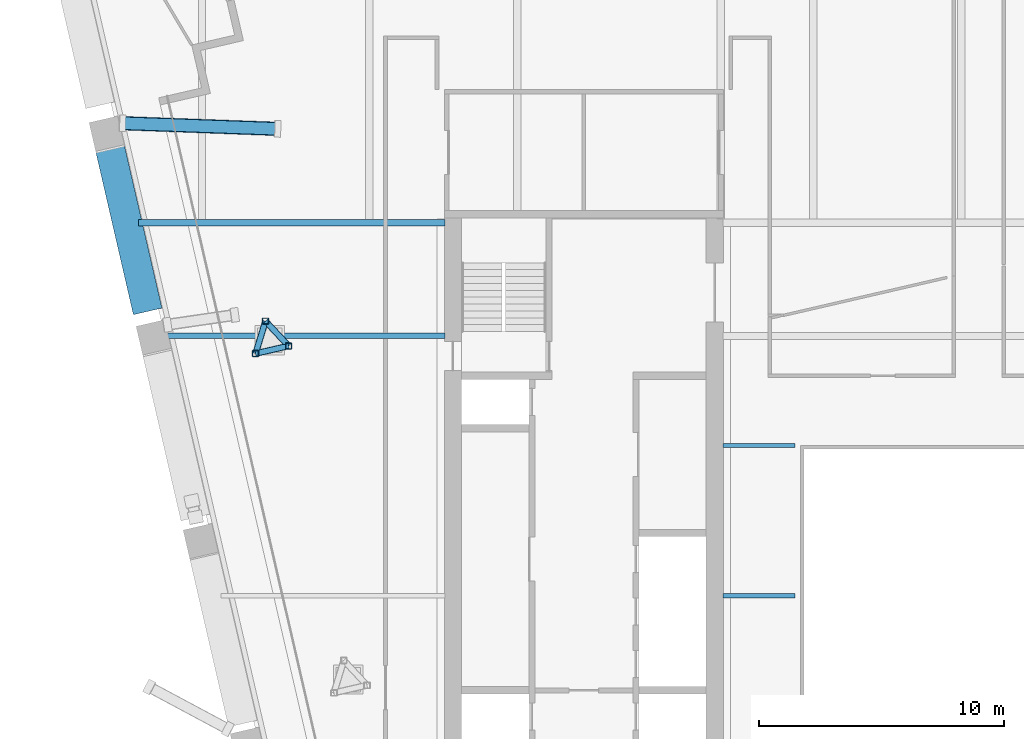
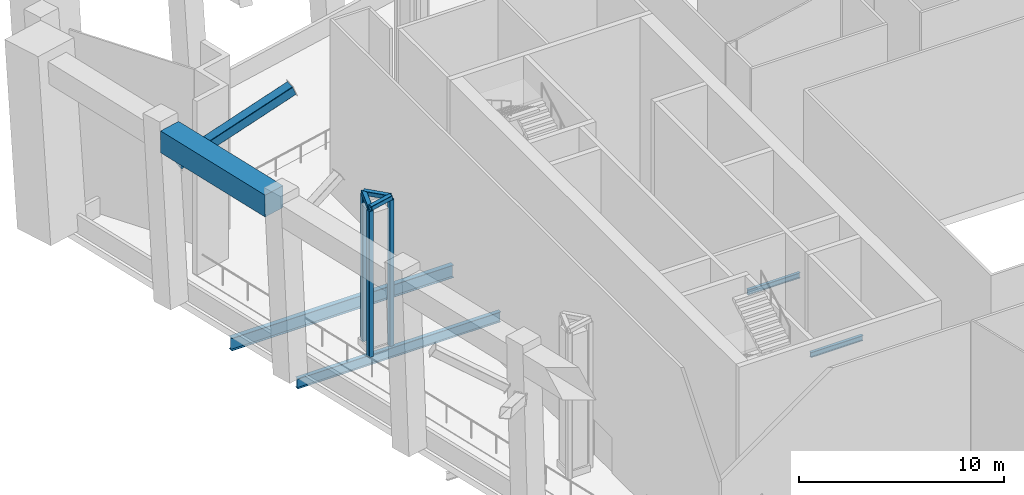
# One storey, part 6 of 25: 7 members, 5 beams.
"""IFC4 building model written with IfcOpenShell, lengths in metres."""

from ifc_helpers import new_model, si_unit, direction, frame, origin, origin_2d, place, context, subcontext, project, spatial, rectangle, hollow_rectangle, i_section, extrude, material, material_profile, profile_set, type_object, element, save


model = new_model("IFC4")

# Units and contexts
model_context = context("Model", 3, precision=1e-05, world=origin(), true_north=direction((0.0, 1.0)))
body_context = subcontext(model_context, "Body", "Model", "MODEL_VIEW")
ifc_project = project(units=[si_unit("LENGTHUNIT", "METRE"), si_unit("AREAUNIT", "SQUARE_METRE"), si_unit("VOLUMEUNIT", "CUBIC_METRE"), si_unit("PLANEANGLEUNIT", "RADIAN"), si_unit("MASSUNIT", "GRAM", prefix="KILO")], contexts=[model_context])

# Site, building, storey
site_placement = place(None, origin())
site = spatial("IfcSite", under=ifc_project, at=site_placement, CompositionType="ELEMENT")
building_placement = place(site_placement, origin())
building = spatial("IfcBuilding", under=site, at=building_placement, Name="Ogive Exchange Tower", CompositionType="ELEMENT")
storey_placement = place(building_placement, frame((0.0, 0.0, 226.199951171875)))
storey = spatial("IfcBuildingStorey", under=building, at=storey_placement, Name="L50", CompositionType="ELEMENT", Elevation=226.199951171875)

# Member
ifc_material_1 = material(Name="Steel ASTM A1085 Gr A", Category="steel")
ifc_material_profile_1 = material_profile(ifc_material_1, hollow_rectangle(XDim=0.55908203125, YDim=0.55908203125, WallThickness=0.022216796875, InnerFilletRadius=0.022216796875, OuterFilletRadius=0.04443359375, at=origin_2d()), Name="HSS558.8x558.8x22.2")
ifc_profile_set_1 = profile_set([ifc_material_profile_1], Name="Steel ASTM A1085 Gr A")
member_type_1 = type_object("IfcMemberType", Name="Block-change strut HSS558.8x558.8x22.2", PredefinedType="STRUT", material=ifc_profile_set_1)
member_placement = place(storey_placement, frame((-34.842529296875, 29.314208984375, 7.697265625), z_axis=(0.935168985841, -0.034178251453, 0.352549025028), x_axis=(0.036523289707, 0.999332802078, 0.0)))
element("IfcMember", 1, at=member_placement, inside=storey, type_object=member_type_1, Name="Block-change strut 26", PredefinedType="STRUT", context=body_context, shape_type="SweptSolid", body=[
    extrude(hollow_rectangle(XDim=0.55908203125, YDim=0.55908203125, WallThickness=0.022216796875, InnerFilletRadius=0.022216796875, OuterFilletRadius=0.04443359375, at=origin_2d()), origin(), (0.0, 0.0, 1.0), 6.75732421875),
])

# Beams
ifc_material_2 = material(Name="Steel ASTM A992 Gr50", Category="steel")
ifc_material_profile_2 = material_profile(ifc_material_2, i_section(OverallWidth=0.1650390625, OverallDepth=0.31005859375, WebThickness=0.005859375, FlangeThickness=0.009765625, at=origin_2d()), Name="W310x38.7")
ifc_profile_set_2 = profile_set([ifc_material_profile_2], Name="Steel ASTM A992 Gr50")
beam_type_1 = type_object("IfcBeamType", Name="Floor beam W310x38.7", PredefinedType="JOIST", material=ifc_profile_set_2)
beam_1_placement = place(storey_placement, frame((-10.320068359375, 10.006591796875, -0.60498046875), z_axis=(1.0, 0.0, 0.0), x_axis=(0.0, 1.0, 0.0)))
element("IfcBeam", 2, at=beam_1_placement, inside=storey, type_object=beam_type_1, Name="Floor beam", PredefinedType="JOIST", context=body_context, shape_type="SweptSolid", body=[
    extrude(i_section(OverallWidth=0.1650390625, OverallDepth=0.31005859375, WebThickness=0.005859375, FlangeThickness=0.009765625, at=origin_2d()), origin(), (0.0, 0.0, 1.0), 2.949951171875),
])
ifc_material_profile_3 = material_profile(ifc_material_2, i_section(OverallWidth=0.22802734375, OverallDepth=0.60205078125, WebThickness=0.010498046875, FlangeThickness=0.014892578125, at=origin_2d()), Name="W610x101")
ifc_profile_set_3 = profile_set([ifc_material_profile_3], Name="Steel ASTM A992 Gr50")
beam_type_2 = type_object("IfcBeamType", Name="Floor beam W610x101", PredefinedType="JOIST", material=ifc_profile_set_3)
beam_2_placement = place(storey_placement, frame((-33.126220703125, 20.62255859375, -0.7509765625), z_axis=(1.0, 0.0, 0.0), x_axis=(0.0, 1.0, 0.0)))
element("IfcBeam", 3, at=beam_2_placement, inside=storey, type_object=beam_type_2, Name="Floor beam", PredefinedType="JOIST", context=body_context, shape_type="SweptSolid", body=[
    extrude(i_section(OverallWidth=0.22802734375, OverallDepth=0.60205078125, WebThickness=0.010498046875, FlangeThickness=0.014892578125, at=origin_2d()), origin(), (0.0, 0.0, 1.0), 11.4462890625),
])
ifc_material_profile_4 = material_profile(ifc_material_2, i_section(OverallWidth=0.1650390625, OverallDepth=0.31005859375, WebThickness=0.005859375, FlangeThickness=0.009765625, at=origin_2d()), Name="W310x38.7")
ifc_profile_set_4 = profile_set([ifc_material_profile_4], Name="Steel ASTM A992 Gr50")
beam_type_3 = type_object("IfcBeamType", Name="Girder W310x38.7", PredefinedType="BEAM", material=ifc_profile_set_4)
beam_3_placement = place(storey_placement, frame((-10.320068359375, 16.155029296875, -0.60498046875), z_axis=(1.0, 0.0, 0.0), x_axis=(0.0, 1.0, 0.0)))
element("IfcBeam", 4, at=beam_3_placement, inside=storey, type_object=beam_type_3, Name="Trimmer girder", PredefinedType="BEAM", context=body_context, shape_type="SweptSolid", body=[
    extrude(i_section(OverallWidth=0.1650390625, OverallDepth=0.31005859375, WebThickness=0.005859375, FlangeThickness=0.009765625, at=origin_2d()), origin(), (0.0, 0.0, 1.0), 2.949951171875),
])
ifc_material_profile_5 = material_profile(ifc_material_2, i_section(OverallWidth=0.26708984375, OverallDepth=0.75390625, WebThickness=0.01318359375, FlangeThickness=0.01708984375, at=origin_2d()), Name="W760x147")
ifc_profile_set_5 = profile_set([ifc_material_profile_5], Name="Steel ASTM A992 Gr50")
beam_type_4 = type_object("IfcBeamType", Name="Girder W760x147", PredefinedType="BEAM", material=ifc_profile_set_5)
beam_4_placement = place(storey_placement, frame((-34.193359375, 25.2451171875, -0.826904296875), z_axis=(1.0, 0.0, 0.0), x_axis=(0.0, 1.0, 0.0)))
element("IfcBeam", 5, at=beam_4_placement, inside=storey, type_object=beam_type_4, Name="Header girder", PredefinedType="BEAM", context=body_context, shape_type="SweptSolid", body=[
    extrude(i_section(OverallWidth=0.26708984375, OverallDepth=0.75390625, WebThickness=0.01318359375, FlangeThickness=0.01708984375, at=origin_2d()), origin(), (0.0, 0.0, 1.0), 12.513427734375),
])
ifc_material_3 = material(Name="Precast concrete C70/85 (limestone faced)", Category="masonry")
ifc_material_profile_6 = material_profile(ifc_material_3, rectangle(XDim=1.199951171875, YDim=1.300048828125, at=origin_2d()), Name="1200 x 1300")
ifc_profile_set_6 = profile_set([ifc_material_profile_6], Name="Precast concrete C70/85 (limestone faced)")
beam_type_5 = type_object("IfcBeamType", Name="Precast portal header beam 1200 x 1300 C70/85", PredefinedType="BEAM", material=ifc_profile_set_6)
beam_5_placement = place(storey_placement, frame((-35.503173828125, 28.91796875, 9.699951171875), z_axis=(0.224957186508, -0.974368649043, 0.0), x_axis=(0.974368649043, 0.224957186508, 0.0)))
element("IfcBeam", 6, at=beam_5_placement, inside=storey, type_object=beam_type_5, Name="Slot header beam 27", PredefinedType="BEAM", context=body_context, shape_type="SweptSolid", body=[
    extrude(rectangle(XDim=1.199951171875, YDim=1.300048828125, at=origin_2d()), origin(), (0.0, 0.0, 1.0), 7.484130859375),
])

# Members
ifc_material_profile_7 = material_profile(ifc_material_1, hollow_rectangle(XDim=0.25390625, YDim=0.25390625, WallThickness=0.0126953125, InnerFilletRadius=0.0126953125, OuterFilletRadius=0.025390625, at=origin_2d()), Name="HSS254x254x12.7")
ifc_profile_set_7 = profile_set([ifc_material_profile_7], Name="Steel ASTM A1085 Gr A")
member_type_2 = type_object("IfcMemberType", Name="Turbine cage mast HSS254x254x12.7", PredefinedType="POST", material=ifc_profile_set_7)
for number, where, z_axis, x_axis, name in (
    (7, (-28.0615234375, 20.2138671875, 0.0), (0.0, 0.0, 1.0), (1.0, 0.0, 0.0), "Turbine cage mast 08.1"),
    (8, (-29.006591796875, 21.227294921875, 0.0), (0.0, 0.0, 1.0), (1.0, 0.0, 0.0), "Turbine cage mast 08.2"),
    (9, (-29.41162109375, 19.902099609375, 0.0), (0.0, 0.0, 1.0), (1.0, 0.0, 0.0), "Turbine cage mast 08.3"),
):
    element("IfcMember", number, at=place(storey_placement, frame(where, z_axis=z_axis, x_axis=x_axis)), inside=storey, type_object=member_type_2, Name=name, PredefinedType="POST", context=body_context, shape_type="SweptSolid", body=[
        extrude(hollow_rectangle(XDim=0.25390625, YDim=0.25390625, WallThickness=0.0126953125, InnerFilletRadius=0.0126953125, OuterFilletRadius=0.025390625, at=origin_2d()), origin(), (0.0, 0.0, 1.0), 8.696044921875),
    ])
ifc_material_profile_8 = material_profile(ifc_material_1, hollow_rectangle(XDim=0.25390625, YDim=0.25390625, WallThickness=0.0126953125, InnerFilletRadius=0.0126953125, OuterFilletRadius=0.025390625, at=origin_2d()), Name="HSS254x254x12.7")
ifc_profile_set_8 = profile_set([ifc_material_profile_8], Name="Steel ASTM A1085 Gr A")
member_type_3 = type_object("IfcMemberType", Name="Turbine cage ring member HSS254x254x12.7", PredefinedType="BRACE", material=ifc_profile_set_8)
for number, where, z_axis, x_axis, name in (
    (10, (-28.0615234375, 20.2138671875, 8.822998046875), (-0.682010599268, 0.731342288184, 0.0), (-0.731342288184, -0.682010599268, 0.0), "Turbine cage ring 08.1"),
    (11, (-29.006591796875, 21.227294921875, 8.822998046875), (-0.29229015249, -0.956329685181, 0.0), (0.956329685181, -0.29229015249, 0.0), "Turbine cage ring 08.2"),
    (12, (-29.41162109375, 19.902099609375, 8.822998046875), (0.974358520042, 0.225001054267, 0.0), (-0.225001054267, 0.974358520042, 0.0), "Turbine cage ring 08.3"),
):
    element("IfcMember", number, at=place(storey_placement, frame(where, z_axis=z_axis, x_axis=x_axis)), inside=storey, type_object=member_type_3, Name=name, PredefinedType="BRACE", context=body_context, shape_type="SweptSolid", body=[
        extrude(hollow_rectangle(XDim=0.25390625, YDim=0.25390625, WallThickness=0.0126953125, InnerFilletRadius=0.0126953125, OuterFilletRadius=0.025390625, at=origin_2d()), origin(), (0.0, 0.0, 1.0), 1.3857421875),
    ])

save(model, "model.ifc")
